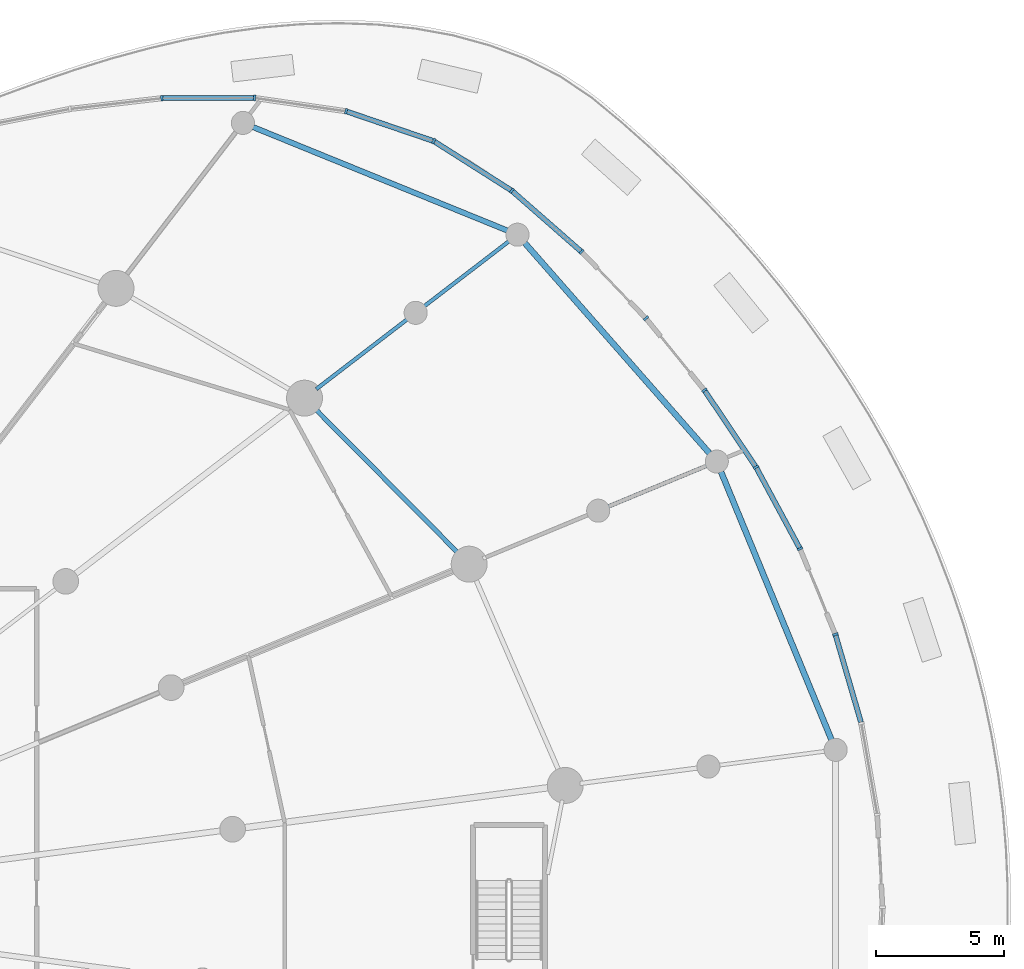
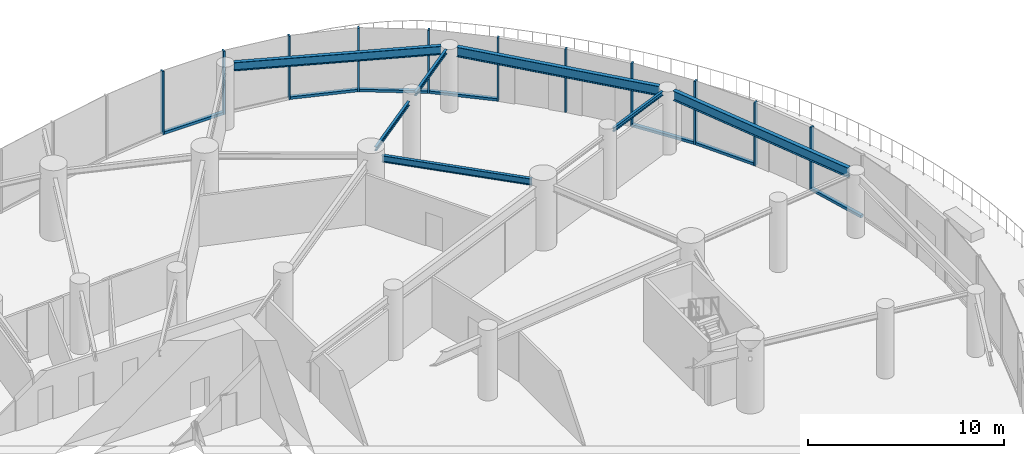
# One storey, part 8 of 21: 18 members, 7 beams, 3 elements without a shape of their own.
"""IFC4 building model written with IfcOpenShell, lengths in metres."""

from ifc_helpers import new_model, si_unit, direction, frame, origin, origin_2d, place, context, subcontext, project, spatial, rectangle, i_section, extrude, source, transform, mapped, material, layer, layer_set, material_profile, profile_set, type_object, element, aggregate, save


model = new_model("IFC4")

# Units and contexts
model_context = context("Model", 3, precision=1e-05, world=origin(), true_north=direction((0.0, 1.0)))
body_context = subcontext(model_context, "Body", "Model", "MODEL_VIEW")
ifc_project = project(units=[si_unit("LENGTHUNIT", "METRE"), si_unit("AREAUNIT", "SQUARE_METRE"), si_unit("VOLUMEUNIT", "CUBIC_METRE"), si_unit("PLANEANGLEUNIT", "RADIAN"), si_unit("MASSUNIT", "GRAM", prefix="KILO")], contexts=[model_context])

# Site, building, storey
site_placement = place(None, origin())
site = spatial("IfcSite", under=ifc_project, at=site_placement, CompositionType="ELEMENT")
building_placement = place(site_placement, origin())
building = spatial("IfcBuilding", under=site, at=building_placement, Name="Spindrift Exchange Tower", CompositionType="ELEMENT")
storey_placement = place(building_placement, frame((0.0, 0.0, 9.39990234375)))
storey = spatial("IfcBuildingStorey", under=building, at=storey_placement, Name="L02", CompositionType="ELEMENT", Elevation=9.39990234375)

# Beams
ifc_material_1 = material(Name="Steel Grade 300", Category="steel")
ifc_material_profile_1 = material_profile(ifc_material_1, i_section(OverallWidth=0.14599609375, OverallDepth=0.251953125, WebThickness=0.006103515625, FlangeThickness=0.008544921875, FilletRadius=0.011962890625, at=origin_2d()), Name="250UB31.4")
ifc_profile_set_1 = profile_set([ifc_material_profile_1], Name="Steel Grade 300")
beam_type_1 = type_object("IfcBeamType", Name="Floor Beam 250UB31.4 Steel Grade 300", PredefinedType="BEAM", material=ifc_profile_set_1)
shared_shape_1 = source(origin(), body_context, "Body", "SweptSolid", [
    extrude(i_section(OverallWidth=0.14599609375, OverallDepth=0.251953125, WebThickness=0.006103515625, FlangeThickness=0.008544921875, FilletRadius=0.011962890625, at=origin_2d()), origin(), (0.0, 0.0, 1.0), 4.1396484375),
])
beam_1_placement = place(storey_placement, frame((82.505859375, 71.407958984375, 3.82421875), z_axis=(0.793355694235, 0.608758361277, 0.0), x_axis=(-0.608758361277, 0.793355694235, 0.0)))
element("IfcBeam", 1, at=beam_1_placement, inside=storey, type_object=beam_type_1, Name="L02 radial beam R03C2", PredefinedType="BEAM", context=body_context, shape_type="MappedRepresentation", body=[
    mapped(shared_shape_1, transform((0.0, 0.0, 0.0), scale=1.0)),
])
shared_shape_2 = source(origin(), body_context, "Body", "SweptSolid", [
    extrude(i_section(OverallWidth=0.14599609375, OverallDepth=0.251953125, WebThickness=0.006103515625, FlangeThickness=0.008544921875, FilletRadius=0.011962890625, at=origin_2d()), origin(), (0.0, 0.0, 1.0), 4.139892578125),
])
beam_2_placement = place(storey_placement, frame((89.671875, 63.604248046875, 3.82421875), z_axis=(0.923880985108, 0.382679925467, 0.0), x_axis=(-0.382679925467, 0.923880985108, 0.0)))
element("IfcBeam", 2, at=beam_2_placement, inside=storey, type_object=beam_type_1, Name="L02 radial beam R02C2", PredefinedType="BEAM", context=body_context, shape_type="MappedRepresentation", body=[
    mapped(shared_shape_2, transform((0.0, 0.0, 0.0), scale=1.0)),
])
shared_shape_3 = source(origin(), body_context, "Body", "SweptSolid", [
    extrude(i_section(OverallWidth=0.14599609375, OverallDepth=0.251953125, WebThickness=0.006103515625, FlangeThickness=0.008544921875, FilletRadius=0.011962890625, at=origin_2d()), origin(), (0.0, 0.0, 1.0), 4.44677734375),
])
beam_3_placement = place(storey_placement, frame((78.295654296875, 68.177490234375, 3.82421875), z_axis=(0.79335002513, 0.608765749387, 0.0), x_axis=(-0.608765749387, 0.79335002513, 0.0)))
element("IfcBeam", 3, at=beam_3_placement, inside=storey, type_object=beam_type_1, Name="L02 radial beam R03C1", PredefinedType="BEAM", context=body_context, shape_type="MappedRepresentation", body=[
    mapped(shared_shape_3, transform((0.0, 0.0, 0.0), scale=1.0)),
])
ifc_material_profile_2 = material_profile(ifc_material_1, i_section(OverallWidth=0.177978515625, OverallDepth=0.406005859375, WebThickness=0.0078125, FlangeThickness=0.0126953125, FilletRadius=0.013916015625, at=origin_2d()), Name="410UB59.7")
ifc_profile_set_2 = profile_set([ifc_material_profile_2], Name="Steel Grade 300")
beam_type_2 = type_object("IfcBeamType", Name="Edge Beam 410UB59.7 Steel Grade 300", PredefinedType="SPANDREL", material=ifc_profile_set_2)
shared_shape_4 = source(origin(), body_context, "Body", "SweptSolid", [
    extrude(i_section(OverallWidth=0.177978515625, OverallDepth=0.406005859375, WebThickness=0.0078125, FlangeThickness=0.0126953125, FilletRadius=0.013916015625, at=origin_2d()), origin(), (0.0, 0.0, 1.0), 7.947509765625),
])
beam_4_placement = place(storey_placement, frame((83.840576171875, 61.769775390625, 3.7470703125), z_axis=(-0.704197895271, 0.710003749494, 0.0), x_axis=(-0.710003749494, -0.704197895271, 0.0)))
element("IfcBeam", 4, at=beam_4_placement, inside=storey, type_object=beam_type_2, Name="L02 edge beam E02", PredefinedType="SPANDREL", context=body_context, shape_type="MappedRepresentation", body=[
    mapped(shared_shape_4, transform((0.0, 0.0, 0.0), scale=1.0)),
])
ifc_material_profile_3 = material_profile(ifc_material_1, i_section(OverallWidth=0.22802734375, OverallDepth=0.60693359375, WebThickness=0.01123046875, FlangeThickness=0.017333984375, FilletRadius=0.013916015625, at=origin_2d()), Name="610UB113")
ifc_profile_set_3 = profile_set([ifc_material_profile_3], Name="Steel Grade 300")
beam_type_3 = type_object("IfcBeamType", Name="Edge Beam 610UB113 Steel Grade 300", PredefinedType="SPANDREL", material=ifc_profile_set_3)
shared_shape_5 = source(origin(), body_context, "Body", "SweptSolid", [
    extrude(i_section(OverallWidth=0.22802734375, OverallDepth=0.60693359375, WebThickness=0.01123046875, FlangeThickness=0.017333984375, FilletRadius=0.013916015625, at=origin_2d()), origin(), (0.0, 0.0, 1.0), 11.284912109375),
])
beam_5_placement = place(storey_placement, frame((98.3583984375, 54.522216796875, 3.646484375), z_axis=(-0.381087094808, 0.924539142584, 0.0), x_axis=(-0.924539142584, -0.381087094808, 0.0)))
element("IfcBeam", 5, at=beam_5_placement, inside=storey, type_object=beam_type_3, Name="L02 cascade edge beam G01", PredefinedType="SPANDREL", context=body_context, shape_type="MappedRepresentation", body=[
    mapped(shared_shape_5, transform((0.0, 0.0, 0.0), scale=1.0)),
])
shared_shape_6 = source(origin(), body_context, "Body", "SweptSolid", [
    extrude(i_section(OverallWidth=0.22802734375, OverallDepth=0.60693359375, WebThickness=0.01123046875, FlangeThickness=0.017333984375, FilletRadius=0.013916015625, at=origin_2d()), origin(), (0.0, 0.0, 1.0), 10.902099609375),
])
beam_6_placement = place(storey_placement, frame((93.610107421875, 65.676025390625, 3.646484375), z_axis=(-0.65996985911, 0.751292077069, 0.0), x_axis=(-0.751292077069, -0.65996985911, 0.0)))
element("IfcBeam", 6, at=beam_6_placement, inside=storey, type_object=beam_type_3, Name="L02 cascade edge beam G02", PredefinedType="SPANDREL", context=body_context, shape_type="MappedRepresentation", body=[
    mapped(shared_shape_6, transform((0.0, 0.0, 0.0), scale=1.0)),
])
ifc_material_profile_4 = material_profile(ifc_material_1, i_section(OverallWidth=0.208984375, OverallDepth=0.532958984375, WebThickness=0.01025390625, FlangeThickness=0.015625, FilletRadius=0.013916015625, at=origin_2d()), Name="530UB92.4")
ifc_profile_set_4 = profile_set([ifc_material_profile_4], Name="Steel Grade 300")
beam_type_4 = type_object("IfcBeamType", Name="Edge Beam 530UB92.4 Steel Grade 300", PredefinedType="SPANDREL", material=ifc_profile_set_4)
shared_shape_7 = source(origin(), body_context, "Body", "SweptSolid", [
    extrude(i_section(OverallWidth=0.208984375, OverallDepth=0.532958984375, WebThickness=0.01025390625, FlangeThickness=0.015625, FilletRadius=0.013916015625, at=origin_2d()), origin(), (0.0, 0.0, 1.0), 10.686767578125),
])
beam_7_placement = place(storey_placement, frame((85.73291015625, 74.351806640625, 3.68359375), z_axis=(-0.926216185026, 0.37699280974, 0.0), x_axis=(-0.37699280974, -0.926216185026, 0.0)))
element("IfcBeam", 7, at=beam_7_placement, inside=storey, type_object=beam_type_4, Name="L02 cascade edge beam G03", PredefinedType="SPANDREL", context=body_context, shape_type="MappedRepresentation", body=[
    mapped(shared_shape_7, transform((0.0, 0.0, 0.0), scale=1.0)),
])

# Curtain wall, member
ifc_material_2 = material(Name="Fritted laminated glass with bronze frame", Category="glass")
ifc_layer = layer(ifc_material_2, 0.219970703125)
ifc_layer_set = layer_set([ifc_layer], Name="PODIUM BRONZE GLAZED WALL")
curtain_wall_type = type_object("IfcCurtainWallType", Name="PODIUM BRONZE GLAZED WALL", PredefinedType="NOTDEFINED", material=ifc_layer_set)
curtain_wall_1_placement = place(storey_placement, origin())
curtain_wall_1 = element("IfcCurtainWall", 8, at=curtain_wall_1_placement, inside=storey, type_object=curtain_wall_type, Name="L02 Podium Bronze Glazed Wall run 2", PredefinedType="NOTDEFINED")
ifc_material_3 = material(Name="Bronze anodised aluminium", Category="aluminium")
ifc_material_profile_5 = material_profile(ifc_material_3, rectangle(XDim=0.199951171875, YDim=0.159912109375, at=origin_2d()), Name="PODIUM BRONZE GLAZED WALL TRANSOM 200X160")
ifc_profile_set_5 = profile_set([ifc_material_profile_5], Name="Bronze anodised aluminium")
member_type_1 = type_object("IfcMemberType", Name="PODIUM BRONZE GLAZED WALL TRANSOM 200X160", PredefinedType="USERDEFINED", material=ifc_profile_set_5)
shared_shape_8 = source(origin(), body_context, "Body", "SweptSolid", [
    extrude(rectangle(XDim=0.199951171875, YDim=0.159912109375, at=origin_2d()), origin(), (0.0, 0.0, 1.0), 3.5107421875),
])
member_1_placement = place(storey_placement, frame((85.8701171875, 75.928466796875, 0.080078125), z_axis=(-0.84424228418, 0.535961720278, 0.0), x_axis=(-0.535961720278, -0.84424228418, 0.0)))
member_1 = element("IfcMember", 9, at=member_1_placement, type_object=member_type_1, Name="L02 transom CW-P.10", ObjectType="TRANSOM", PredefinedType="USERDEFINED", context=body_context, shape_type="MappedRepresentation", body=[
    mapped(shared_shape_8, transform((0.0, 0.0, 0.0), scale=1.0)),
])

# Curtain wall, members
curtain_wall_2_placement = place(storey_placement, origin())
curtain_wall_2 = element("IfcCurtainWall", 10, at=curtain_wall_2_placement, inside=storey, type_object=curtain_wall_type, Name="L02 Podium Bronze Glazed Wall run 1", PredefinedType="NOTDEFINED")
ifc_material_profile_6 = material_profile(ifc_material_3, rectangle(XDim=0.090087890625, YDim=0.219970703125, at=origin_2d()), Name="PODIUM BRONZE GLAZED WALL MULLION 90X220")
ifc_profile_set_6 = profile_set([ifc_material_profile_6], Name="Bronze anodised aluminium")
member_type_2 = type_object("IfcMemberType", Name="PODIUM BRONZE GLAZED WALL MULLION 90X220", PredefinedType="MULLION", material=ifc_profile_set_6)
shared_shape_9 = source(origin(), body_context, "Body", "SweptSolid", [
    extrude(rectangle(XDim=0.090087890625, YDim=0.219970703125, at=origin_2d()), origin(), (0.0, 0.0, 1.0), 3.9501953125),
])
member_2_placement = place(storey_placement, frame((98.51171875, 58.622314453125, 0.0), z_axis=(0.0, 0.0, 1.0), x_axis=(-0.331176128831, 0.943568954392, 0.0)))
member_2 = element("IfcMember", 11, at=member_2_placement, type_object=member_type_2, Name="L02 mullion CW-P.4", PredefinedType="MULLION", context=body_context, shape_type="MappedRepresentation", body=[
    mapped(shared_shape_9, transform((0.0, 0.0, 0.0), scale=1.0)),
])
member_3_placement = place(storey_placement, frame((97.13427734375, 61.9580078125, 0.0), z_axis=(0.0, 0.0, 1.0), x_axis=(-0.428638880454, 0.903475904584, 0.0)))
member_3 = element("IfcMember", 12, at=member_3_placement, type_object=member_type_2, Name="L02 mullion CW-P.5", PredefinedType="MULLION", context=body_context, shape_type="MappedRepresentation", body=[
    mapped(shared_shape_9, transform((0.0, 0.0, 0.0), scale=1.0)),
])
member_4_placement = place(storey_placement, frame((95.421875, 65.134765625, 0.0), z_axis=(0.0, 0.0, 1.0), x_axis=(-0.516361695133, 0.856370597229, 0.0)))
member_4 = element("IfcMember", 13, at=member_4_placement, type_object=member_type_2, Name="L02 mullion CW-P.6", PredefinedType="MULLION", context=body_context, shape_type="MappedRepresentation", body=[
    mapped(shared_shape_9, transform((0.0, 0.0, 0.0), scale=1.0)),
])

# Member
member_5_placement = place(storey_placement, frame((93.411376953125, 68.132080078125, 0.0), z_axis=(0.0, 0.0, 1.0), x_axis=(-0.594807866261, 0.803867900985, 0.0)))
member_5 = element("IfcMember", 14, at=member_5_placement, type_object=member_type_2, Name="L02 mullion CW-P.7", PredefinedType="MULLION", context=body_context, shape_type="MappedRepresentation", body=[
    mapped(shared_shape_9, transform((0.0, 0.0, 0.0), scale=1.0)),
])

member_6_placement = place(storey_placement, frame((91.1328125, 70.931396484375, 0.0), z_axis=(0.0, 0.0, 1.0), x_axis=(-0.663969918094, 0.747759284708, 0.0)))
member_6 = element("IfcMember", 15, at=member_6_placement, type_object=member_type_2, Name="L02 mullion CW-P.8", PredefinedType="MULLION", context=body_context, shape_type="MappedRepresentation", body=[
    mapped(shared_shape_9, transform((0.0, 0.0, 0.0), scale=1.0)),
])

member_7_placement = place(storey_placement, frame((88.622802734375, 73.525146484375, 0.0), z_axis=(0.0, 0.0, 1.0), x_axis=(-0.724338338136, 0.689444683717, 0.0)))
member_7 = element("IfcMember", 16, at=member_7_placement, type_object=member_type_2, Name="L02 mullion CW-P.9", PredefinedType="MULLION", context=body_context, shape_type="MappedRepresentation", body=[
    mapped(shared_shape_9, transform((0.0, 0.0, 0.0), scale=1.0)),
])

member_8_placement = place(storey_placement, frame((85.908203125, 75.904296875, 0.0), z_axis=(0.0, 0.0, 1.0), x_axis=(-0.800511737603, 0.599317076313, 0.0)))
member_8 = element("IfcMember", 17, at=member_8_placement, type_object=member_type_2, Name="L02 mullion CW-P.10", PredefinedType="MULLION", context=body_context, shape_type="MappedRepresentation", body=[
    mapped(shared_shape_9, transform((0.0, 0.0, 0.0), scale=1.0)),
])

member_9_placement = place(storey_placement, frame((82.868408203125, 77.834228515625, 0.0), z_axis=(0.0, 0.0, 1.0), x_axis=(-0.901735485713, 0.432288230011, 0.0)))
member_9 = element("IfcMember", 18, at=member_9_placement, type_object=member_type_2, Name="L02 mullion CW-P.11", PredefinedType="MULLION", context=body_context, shape_type="MappedRepresentation", body=[
    mapped(shared_shape_9, transform((0.0, 0.0, 0.0), scale=1.0)),
])

member_10_placement = place(storey_placement, frame((79.45703125, 78.99658203125, 0.0), z_axis=(0.0, 0.0, 1.0), x_axis=(-0.972167925781, 0.234285134149, 0.0)))
member_10 = element("IfcMember", 19, at=member_10_placement, type_object=member_type_2, Name="L02 mullion CW-P.12", PredefinedType="MULLION", context=body_context, shape_type="MappedRepresentation", body=[
    mapped(shared_shape_9, transform((0.0, 0.0, 0.0), scale=1.0)),
])

# Curtain wall, members
curtain_wall_3_placement = place(storey_placement, origin())
curtain_wall_3 = element("IfcCurtainWall", 20, at=curtain_wall_3_placement, inside=storey, type_object=curtain_wall_type, Name="L02 Podium Bronze Glazed Wall run 3", PredefinedType="NOTDEFINED")
member_11_placement = place(storey_placement, frame((75.88818359375, 79.51611328125, 0.0), z_axis=(0.0, 0.0, 1.0), x_axis=(-0.997483298836, 0.070901823275, 0.0)))
member_11 = element("IfcMember", 21, at=member_11_placement, type_object=member_type_2, Name="L02 mullion CW-P.13", PredefinedType="MULLION", context=body_context, shape_type="MappedRepresentation", body=[
    mapped(shared_shape_9, transform((0.0, 0.0, 0.0), scale=1.0)),
])
member_12_placement = place(storey_placement, frame((72.280517578125, 79.506591796875, 0.0), z_axis=(0.0, 0.0, 1.0), x_axis=(-0.998234038251, -0.059403744632, 0.0)))
member_12 = element("IfcMember", 22, at=member_12_placement, type_object=member_type_2, Name="L02 mullion CW-P.14", PredefinedType="MULLION", context=body_context, shape_type="MappedRepresentation", body=[
    mapped(shared_shape_9, transform((0.0, 0.0, 0.0), scale=1.0)),
])

# Member
shared_shape_10 = source(origin(), body_context, "Body", "SweptSolid", [
    extrude(rectangle(XDim=0.199951171875, YDim=0.159912109375, at=origin_2d()), origin(), (0.0, 0.0, 1.0), 3.518798828125),
])
member_13_placement = place(storey_placement, frame((99.508544921875, 55.20068359375, 0.080078125), z_axis=(-0.279738900005, 0.960076115641, 0.0), x_axis=(-0.960076115641, -0.279738900005, 0.0)))
member_13 = element("IfcMember", 23, at=member_13_placement, type_object=member_type_1, Name="L02 transom CW-P.3", ObjectType="TRANSOM", PredefinedType="USERDEFINED", context=body_context, shape_type="MappedRepresentation", body=[
    mapped(shared_shape_10, transform((0.0, 0.0, 0.0), scale=1.0)),
])

shared_shape_11 = source(origin(), body_context, "Body", "SweptSolid", [
    extrude(rectangle(XDim=0.199951171875, YDim=0.159912109375, at=origin_2d()), origin(), (0.0, 0.0, 1.0), 3.51904296875),
])
member_14_placement = place(storey_placement, frame((97.113037109375, 61.99755859375, 0.080078125), z_axis=(-0.474476266829, 0.880268295587, 0.0), x_axis=(-0.880268295587, -0.474476266829, 0.0)))
member_14 = element("IfcMember", 24, at=member_14_placement, type_object=member_type_1, Name="L02 transom CW-P.5", ObjectType="TRANSOM", PredefinedType="USERDEFINED", context=body_context, shape_type="MappedRepresentation", body=[
    mapped(shared_shape_11, transform((0.0, 0.0, 0.0), scale=1.0)),
])

member_15_placement = place(storey_placement, frame((95.396728515625, 65.172119140625, 0.080078125), z_axis=(-0.557019463145, 0.830499438698, 0.0), x_axis=(-0.830499438698, -0.557019463145, 0.0)))
member_15 = element("IfcMember", 25, at=member_15_placement, type_object=member_type_1, Name="L02 transom CW-P.6", ObjectType="TRANSOM", PredefinedType="USERDEFINED", context=body_context, shape_type="MappedRepresentation", body=[
    mapped(shared_shape_11, transform((0.0, 0.0, 0.0), scale=1.0)),
])

aggregate(curtain_wall_2, [member_13, member_2, member_3, member_14, member_4, member_15])

shared_shape_12 = source(origin(), body_context, "Body", "SweptSolid", [
    extrude(rectangle(XDim=0.199951171875, YDim=0.159912109375, at=origin_2d()), origin(), (0.0, 0.0, 1.0), 3.519775390625),
])
member_16_placement = place(storey_placement, frame((88.5888671875, 73.554931640625, 0.080078125), z_axis=(-0.752052230872, 0.659103513904, 0.0), x_axis=(-0.659103513904, -0.752052230872, 0.0)))
member_16 = element("IfcMember", 26, at=member_16_placement, type_object=member_type_1, Name="L02 transom CW-P.9", ObjectType="TRANSOM", PredefinedType="USERDEFINED", context=body_context, shape_type="MappedRepresentation", body=[
    mapped(shared_shape_12, transform((0.0, 0.0, 0.0), scale=1.0)),
])

shared_shape_13 = source(origin(), body_context, "Body", "SweptSolid", [
    extrude(rectangle(XDim=0.199951171875, YDim=0.159912109375, at=origin_2d()), origin(), (0.0, 0.0, 1.0), 3.513916015625),
])
member_17_placement = place(storey_placement, frame((82.82568359375, 77.8486328125, 0.080078125), z_axis=(-0.946542976287, 0.322577733331, 0.0), x_axis=(-0.322577733331, -0.946542976287, 0.0)))
member_17 = element("IfcMember", 27, at=member_17_placement, type_object=member_type_1, Name="L02 transom CW-P.11", ObjectType="TRANSOM", PredefinedType="USERDEFINED", context=body_context, shape_type="MappedRepresentation", body=[
    mapped(shared_shape_13, transform((0.0, 0.0, 0.0), scale=1.0)),
])

aggregate(curtain_wall_1, [member_5, member_6, member_7, member_16, member_8, member_1, member_9, member_17, member_10])

shared_shape_14 = source(origin(), body_context, "Body", "SweptSolid", [
    extrude(rectangle(XDim=0.199951171875, YDim=0.159912109375, at=origin_2d()), origin(), (0.0, 0.0, 1.0), 3.517822265625),
])
member_18_placement = place(storey_placement, frame((75.84326171875, 79.515869140625, 0.080078125), z_axis=(-0.999996703116, -0.002567831079, 0.0), x_axis=(0.002567831079, -0.999996703116, 0.0)))
member_18 = element("IfcMember", 28, at=member_18_placement, type_object=member_type_1, Name="L02 transom CW-P.13", ObjectType="TRANSOM", PredefinedType="USERDEFINED", context=body_context, shape_type="MappedRepresentation", body=[
    mapped(shared_shape_14, transform((0.0, 0.0, 0.0), scale=1.0)),
])

aggregate(curtain_wall_3, [member_11, member_18, member_12])

save(model, "model.ifc")
